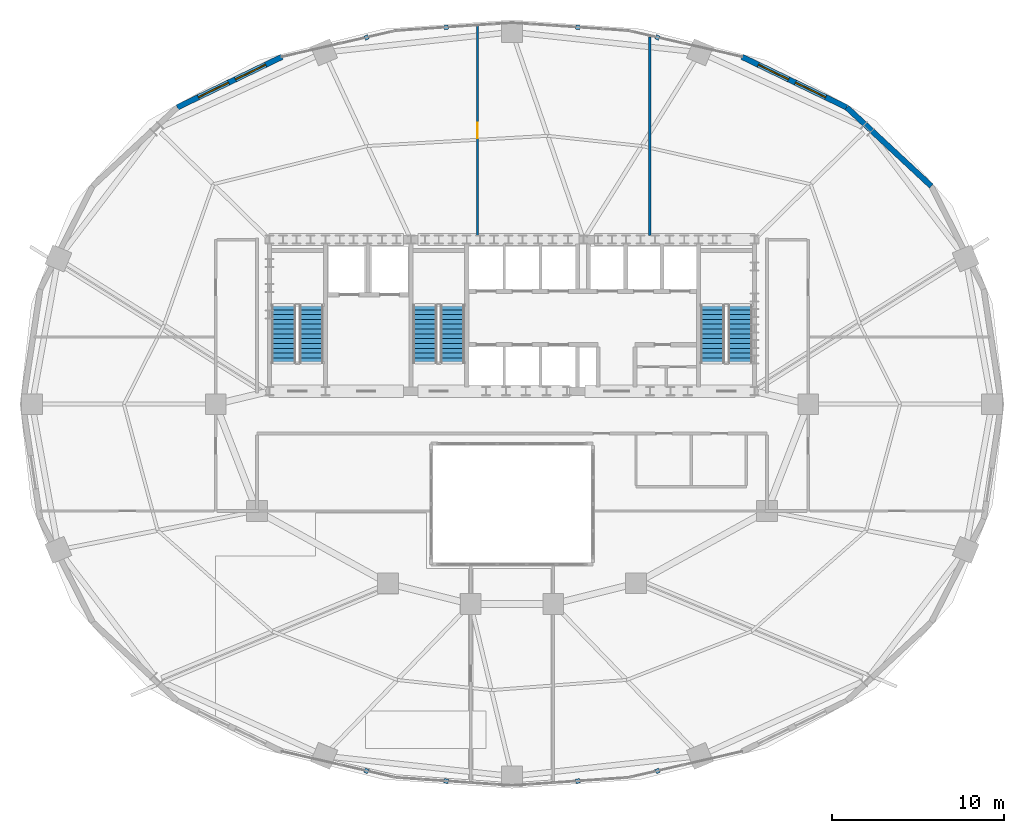
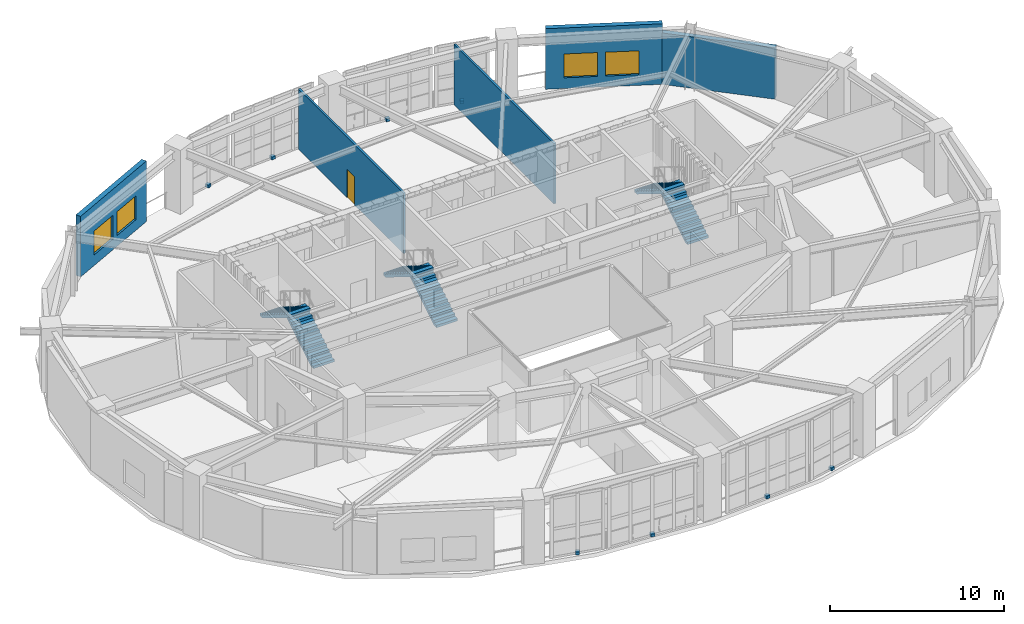
# One storey, part 12 of 15: 8 discrete accessories, 6 stair flights, 5 walls, 4 windows, 1 door, 5 openings, 3 elements without a shape of their own.
"""IFC4 building model written with IfcOpenShell, lengths in metres."""

from ifc_helpers import new_model, si_unit, direction, frame, frame_2d, origin, origin_2d, place, context, subcontext, project, spatial, polyline, rectangle, outline, extrude, material, layer, layer_set, type_object, element, fill, aggregate, save


model = new_model("IFC4")

# Units and contexts
model_context = context("Model", 3, precision=1e-05, world=origin(), true_north=direction((0.0, 1.0)))
body_context = subcontext(model_context, "Body", "Model", "MODEL_VIEW")
ifc_project = project(units=[si_unit("LENGTHUNIT", "METRE"), si_unit("AREAUNIT", "SQUARE_METRE"), si_unit("VOLUMEUNIT", "CUBIC_METRE"), si_unit("PLANEANGLEUNIT", "RADIAN"), si_unit("MASSUNIT", "GRAM", prefix="KILO")], contexts=[model_context])

# Site, building, storey
site_placement = place(None, origin())
site = spatial("IfcSite", under=ifc_project, at=site_placement, CompositionType="ELEMENT")
building_placement = place(site_placement, origin())
building = spatial("IfcBuilding", under=site, at=building_placement, Name="Haldorwick Loom Tower", CompositionType="ELEMENT")
storey_placement = place(building_placement, frame((0.0, 0.0, 105.949951171875)))
storey = spatial("IfcBuildingStorey", under=building, at=storey_placement, Name="L28", CompositionType="ELEMENT", Elevation=105.949951171875)

# Wall
ifc_material_1 = material(Name="Pressed Clay Face Brick and Insulated Masonry Backup Assembly", Category="masonry")
ifc_layer_1 = layer(ifc_material_1, 0.320068359375, Name="Pressed Clay Face Brick and Insulated Masonry Backup Assembly", Category="masonry")
ifc_layer_set_1 = layer_set([ifc_layer_1], Name="Pressed Clay Face Brick and Insulated Masonry Backup Assembly")
wall_type_1 = type_object("IfcWallType", Name="ARC-WL-EXT320", PredefinedType="STANDARD", material=ifc_layer_set_1)
wall_1_placement = place(storey_placement, frame((60.338623046875, 38.655517578125, 0.0), z_axis=(0.0, 0.0, 1.0), x_axis=(-0.732137360086, 0.681157020052, 0.0)))
element("IfcWall", 1, at=wall_1_placement, inside=storey, type_object=wall_type_1, Name="L28 Brick Pier and Spandrel Wall 3", PredefinedType="STANDARD", context=body_context, shape_type="SweptSolid", body=[
    extrude(rectangle(XDim=6.709228515625, YDim=0.320068359375, at=frame_2d((3.3544921875, 0.0))), origin(), (0.0, 0.0, 1.0), 3.619140625),
])

# Wall, openings, windows
wall_2_placement = place(storey_placement, frame((55.426513671875, 43.2255859375, 0.0), z_axis=(0.0, 0.0, 1.0), x_axis=(-0.900510094661, 0.434835106004, 0.0)))
wall_2 = element("IfcWall", 2, at=wall_2_placement, inside=storey, type_object=wall_type_1, Name="L28 Brick Pier and Spandrel Wall 4", PredefinedType="STANDARD", context=body_context, shape_type="SweptSolid", body=[
    extrude(rectangle(XDim=6.744873046875, YDim=0.320068359375, at=frame_2d((3.37255859375, 0.0))), origin(), (0.0, 0.0, 1.0), 4.260009765625),
])
opening_1_placement = place(wall_2_placement, frame((1.353759765625, 0.0, 0.75)))
opening_1 = element("IfcOpeningElement", 3, at=opening_1_placement, cuts=wall_2, Name="Opening W-04B", PredefinedType="OPENING", context=body_context, shape_type="SweptSolid", body=[
    extrude(rectangle(XDim=1.949951171875, YDim=1.679931640625, at=frame_2d((0.97509765625, 0.83984375))), frame((0.0, 0.169921875, 0.0), z_axis=(0.0, -1.0, 0.0), x_axis=(1.0, 0.0, 0.0)), (0.0, 0.0, 1.0), 0.340087890625),
])
opening_2_placement = place(wall_2_placement, frame((3.746337890625, 0.0, 0.75)))
opening_2 = element("IfcOpeningElement", 4, at=opening_2_placement, cuts=wall_2, Name="Opening W-04B", PredefinedType="OPENING", context=body_context, shape_type="SweptSolid", body=[
    extrude(rectangle(XDim=1.949951171875, YDim=1.679931640625, at=frame_2d((0.97509765625, 0.83984375))), frame((0.0, 0.169921875, 0.0), z_axis=(0.0, -1.0, 0.0), x_axis=(1.0, 0.0, 0.0)), (0.0, 0.0, 1.0), 0.340087890625),
])
ifc_material_2 = material(Name="Triple-Glazed Low-E Argon Insulated Glazing Unit", Category="glass")
window_type = type_object("IfcWindowType", Name="ARC-WIN-W195", PartitioningType="SINGLE_PANEL", PredefinedType="WINDOW", material=ifc_material_2)
window_1_placement = place(opening_1_placement, origin())
window_1 = element("IfcWindow", 5, at=window_1_placement, inside=storey, type_object=window_type, Name="L28 Deep-Set Zone 7A Window 4", OverallHeight=1.679931640625, OverallWidth=1.949951171875, PartitioningType="SINGLE_PANEL", PredefinedType="WINDOW", context=body_context, shape_type="SweptSolid", body=[
    extrude(rectangle(XDim=1.949951171875, YDim=1.679931640625, at=frame_2d((0.97509765625, 0.83984375))), frame((0.0, 0.030029296875, 0.0), z_axis=(0.0, -1.0, 0.0), x_axis=(1.0, 0.0, 0.0)), (0.0, 0.0, 1.0), 0.06005859375),
])
fill(opening_1, window_1)
window_2_placement = place(opening_2_placement, origin())
window_2 = element("IfcWindow", 6, at=window_2_placement, inside=storey, type_object=window_type, Name="L28 Deep-Set Zone 7A Window 4", OverallHeight=1.679931640625, OverallWidth=1.949951171875, PartitioningType="SINGLE_PANEL", PredefinedType="WINDOW", context=body_context, shape_type="SweptSolid", body=[
    extrude(rectangle(XDim=1.949951171875, YDim=1.679931640625, at=frame_2d((0.97509765625, 0.83984375))), frame((0.0, 0.030029296875, 0.0), z_axis=(0.0, -1.0, 0.0), x_axis=(1.0, 0.0, 0.0)), (0.0, 0.0, 1.0), 0.06005859375),
])
fill(opening_2, window_2)

wall_3_placement = place(storey_placement, frame((22.647216796875, 46.158447265625, 0.0), z_axis=(0.0, 0.0, 1.0), x_axis=(-0.900510094661, -0.434835106004, 0.0)))
wall_3 = element("IfcWall", 7, at=wall_3_placement, inside=storey, type_object=wall_type_1, Name="L28 Brick Pier and Spandrel Wall 9", PredefinedType="STANDARD", context=body_context, shape_type="SweptSolid", body=[
    extrude(rectangle(XDim=6.744873046875, YDim=0.320068359375, at=frame_2d((3.37255859375, 0.0))), origin(), (0.0, 0.0, 1.0), 4.260009765625),
])
opening_3_placement = place(wall_3_placement, frame((1.04833984375, 0.0, 0.75)))
opening_3 = element("IfcOpeningElement", 8, at=opening_3_placement, cuts=wall_3, Name="Opening W-04B", PredefinedType="OPENING", context=body_context, shape_type="SweptSolid", body=[
    extrude(rectangle(XDim=1.949951171875, YDim=1.679931640625, at=frame_2d((0.97509765625, 0.83984375))), frame((0.0, 0.169921875, 0.0), z_axis=(0.0, -1.0, 0.0), x_axis=(1.0, 0.0, 0.0)), (0.0, 0.0, 1.0), 0.340087890625),
])
opening_4_placement = place(wall_3_placement, frame((3.44091796875, 0.0, 0.75)))
opening_4 = element("IfcOpeningElement", 9, at=opening_4_placement, cuts=wall_3, Name="Opening W-04B", PredefinedType="OPENING", context=body_context, shape_type="SweptSolid", body=[
    extrude(rectangle(XDim=1.949951171875, YDim=1.679931640625, at=frame_2d((0.97509765625, 0.83984375))), frame((0.0, 0.169921875, 0.0), z_axis=(0.0, -1.0, 0.0), x_axis=(1.0, 0.0, 0.0)), (0.0, 0.0, 1.0), 0.340087890625),
])
window_3_placement = place(opening_3_placement, origin())
window_3 = element("IfcWindow", 10, at=window_3_placement, inside=storey, type_object=window_type, Name="L28 Deep-Set Zone 7A Window 9", OverallHeight=1.679931640625, OverallWidth=1.949951171875, PartitioningType="SINGLE_PANEL", PredefinedType="WINDOW", context=body_context, shape_type="SweptSolid", body=[
    extrude(rectangle(XDim=1.949951171875, YDim=1.679931640625, at=frame_2d((0.97509765625, 0.83984375))), frame((0.0, 0.030029296875, 0.0), z_axis=(0.0, -1.0, 0.0), x_axis=(1.0, 0.0, 0.0)), (0.0, 0.0, 1.0), 0.06005859375),
])
fill(opening_3, window_3)
window_4_placement = place(opening_4_placement, origin())
window_4 = element("IfcWindow", 11, at=window_4_placement, inside=storey, type_object=window_type, Name="L28 Deep-Set Zone 7A Window 9", OverallHeight=1.679931640625, OverallWidth=1.949951171875, PartitioningType="SINGLE_PANEL", PredefinedType="WINDOW", context=body_context, shape_type="SweptSolid", body=[
    extrude(rectangle(XDim=1.949951171875, YDim=1.679931640625, at=frame_2d((0.97509765625, 0.83984375))), frame((0.0, 0.030029296875, 0.0), z_axis=(0.0, -1.0, 0.0), x_axis=(1.0, 0.0, 0.0)), (0.0, 0.0, 1.0), 0.06005859375),
])
fill(opening_4, window_4)

# Wall, opening, door
ifc_material_3 = material(Name="Fire-Rated Type X Gypsum Stud Assembly EI 60")
ifc_layer_2 = layer(ifc_material_3, 0.139892578125, Name="Fire-Rated Type X Gypsum Stud Assembly EI 60")
ifc_layer_set_2 = layer_set([ifc_layer_2], Name="Fire-Rated Type X Gypsum Stud Assembly EI 60")
wall_type_2 = type_object("IfcWallType", Name="ARC-WL-PART140", PredefinedType="PARTITIONING", material=ifc_layer_set_2)
wall_4_placement = place(storey_placement, frame((34.0, 35.802978515625, 0.0), z_axis=(0.0, 0.0, 1.0), x_axis=(0.0, 1.0, 0.0)))
wall_4 = element("IfcWall", 12, at=wall_4_placement, inside=storey, type_object=wall_type_2, Name="L28 Interior Partition L28-N-0", PredefinedType="PARTITIONING", context=body_context, shape_type="SweptSolid", body=[
    extrude(rectangle(XDim=12.1328125, YDim=0.139892578125, at=frame_2d((6.06640625, 0.0))), origin(), (0.0, 0.0, 1.0), 4.2451171875),
])
opening_5_placement = place(wall_4_placement, frame((5.62646484375, 0.0, 0.0)))
opening_5 = element("IfcOpeningElement", 13, at=opening_5_placement, cuts=wall_4, Name="Opening D-FD60A", PredefinedType="OPENING", context=body_context, shape_type="SweptSolid", body=[
    extrude(rectangle(XDim=0.89990234375, YDim=2.0, at=frame_2d((0.449951171875, 1.0))), frame((0.0, 0.079833984375, 0.0), z_axis=(0.0, -1.0, 0.0), x_axis=(1.0, 0.0, 0.0)), (0.0, 0.0, 1.0), 0.159912109375),
])
ifc_material_4 = material(Name="Hollow Steel Fire Door Assembly", Category="steel")
door_type = type_object("IfcDoorType", Name="ARC-DR-FD60-90", OperationType="NOTDEFINED", PredefinedType="DOOR", material=ifc_material_4)
door_placement = place(opening_5_placement, origin())
door = element("IfcDoor", 14, at=door_placement, inside=storey, type_object=door_type, Name="L28 Low-to-Mid Sky Observatory Salon 11 to Sky Concierge Reception 12 Do", OperationType="SINGLE_SWING_LEFT", OverallHeight=2.0, OverallWidth=0.89990234375, PredefinedType="DOOR", context=body_context, shape_type="SweptSolid", body=[
    extrude(rectangle(XDim=0.89990234375, YDim=2.0, at=frame_2d((0.449951171875, 1.0))), frame((0.0, 0.02490234375, 0.0), z_axis=(0.0, -1.0, 0.0), x_axis=(1.0, 0.0, 0.0)), (0.0, 0.0, 1.0), 0.050048828125),
])
fill(opening_5, door)

# Wall
wall_5_placement = place(storey_placement, frame((44.0, 35.802978515625, 0.0), z_axis=(0.0, 0.0, 1.0), x_axis=(0.0, 1.0, 0.0)))
element("IfcWall", 15, at=wall_5_placement, inside=storey, type_object=wall_type_2, Name="L28 Interior Partition L28-N-1", PredefinedType="PARTITIONING", context=body_context, shape_type="SweptSolid", body=[
    extrude(rectangle(XDim=11.51904296875, YDim=0.139892578125, at=frame_2d((5.759521484375, 0.0))), origin(), (0.0, 0.0, 1.0), 4.2451171875),
])

# Stair, stair flights
ifc_material_5 = material(Name="Concrete C40 (40 MPa)", Category="concrete")
stair_type = type_object("IfcStairType", Name="STR-STR-CORE", PredefinedType="HALF_TURN_STAIR", material=ifc_material_5)
stair_1_placement = place(storey_placement, origin())
stair_1 = element("IfcStair", 16, at=stair_1_placement, inside=storey, type_object=stair_type, Name="L28 Exit Stair ST-01", PredefinedType="HALF_TURN_STAIR")
stair_flight_type = type_object("IfcStairFlightType", Name="STR-STF-1250", PredefinedType="STRAIGHT", material=ifc_material_5)
stair_flight_1_placement = place(storey_placement, frame((24.35009765625, 28.39990234375, 0.0), z_axis=(0.0, 0.0, 1.0), x_axis=(0.0, 1.0, 0.0)))
stair_flight_1 = element("IfcStairFlight", 17, at=stair_flight_1_placement, type_object=stair_flight_type, Name="ST-01 flight 1", NumberOfRisers=13, NumberOfTreads=12, PredefinedType="STRAIGHT", RiserHeight=0.173076923, TreadLength=0.28, context=body_context, shape_type="SweptSolid", body=[
    extrude(outline(polyline([(0.0, 0.0), (0.0, 0.173095703125), (0.280029296875, 0.173095703125), (0.280029296875, 0.34619140625), (0.56005859375, 0.34619140625), (0.56005859375, 0.519287109375), (0.840087890625, 0.519287109375), (0.840087890625, 0.6923828125), (1.1201171875, 0.6923828125), (1.1201171875, 0.865478515625), (1.39990234375, 0.865478515625), (1.39990234375, 1.03857421875), (1.679931640625, 1.03857421875), (1.679931640625, 1.21142578125), (1.9599609375, 1.21142578125), (1.9599609375, 1.384521484375), (2.239990234375, 1.384521484375), (2.239990234375, 1.5576171875), (2.52001953125, 1.5576171875), (2.52001953125, 1.730712890625), (2.800048828125, 1.730712890625), (2.800048828125, 1.90380859375), (3.080078125, 1.90380859375), (3.080078125, 2.076904296875), (3.360107421875, 2.076904296875), (3.360107421875, 2.25), (3.360107421875, 1.900634765625), (0.28515625, 0.0), (0.0, 0.0)])), frame((0.0, 0.699951171875, 0.0), z_axis=(0.0, -1.0, 0.0), x_axis=(1.0, 0.0, 0.0)), (0.0, 0.0, 1.0), 1.39990234375),
])
stair_flight_2_placement = place(storey_placement, frame((22.75, 31.760009765625, 2.25), z_axis=(0.0, 0.0, 1.0), x_axis=(0.0, -1.0, 0.0)))
stair_flight_2 = element("IfcStairFlight", 18, at=stair_flight_2_placement, type_object=stair_flight_type, Name="ST-01 flight 2", NumberOfRisers=13, NumberOfTreads=12, PredefinedType="STRAIGHT", RiserHeight=0.173076923, TreadLength=0.28, context=body_context, shape_type="SweptSolid", body=[
    extrude(outline(polyline([(0.0, 0.0), (0.0, 0.173095703125), (0.280029296875, 0.173095703125), (0.280029296875, 0.34619140625), (0.56005859375, 0.34619140625), (0.56005859375, 0.519287109375), (0.840087890625, 0.519287109375), (0.840087890625, 0.6923828125), (1.1201171875, 0.6923828125), (1.1201171875, 0.865478515625), (1.39990234375, 0.865478515625), (1.39990234375, 1.03857421875), (1.679931640625, 1.03857421875), (1.679931640625, 1.21142578125), (1.9599609375, 1.21142578125), (1.9599609375, 1.384521484375), (2.239990234375, 1.384521484375), (2.239990234375, 1.5576171875), (2.52001953125, 1.5576171875), (2.52001953125, 1.730712890625), (2.800048828125, 1.730712890625), (2.800048828125, 1.90380859375), (3.080078125, 1.90380859375), (3.080078125, 2.076904296875), (3.360107421875, 2.076904296875), (3.360107421875, 2.25), (3.360107421875, 1.900634765625), (0.28515625, 0.0), (0.0, 0.0)])), frame((0.0, 0.699951171875, 0.0), z_axis=(0.0, -1.0, 0.0), x_axis=(1.0, 0.0, 0.0)), (0.0, 0.0, 1.0), 1.39990234375),
])
aggregate(stair_1, [stair_flight_1, stair_flight_2])

stair_2_placement = place(storey_placement, origin())
stair_2 = element("IfcStair", 19, at=stair_2_placement, inside=storey, type_object=stair_type, Name="L28 Exit Stair ST-02", PredefinedType="HALF_TURN_STAIR")
stair_flight_3_placement = place(storey_placement, frame((49.25, 28.39990234375, 0.0), z_axis=(0.0, 0.0, 1.0), x_axis=(0.0, 1.0, 0.0)))
stair_flight_3 = element("IfcStairFlight", 20, at=stair_flight_3_placement, type_object=stair_flight_type, Name="ST-02 flight 1", NumberOfRisers=13, NumberOfTreads=12, PredefinedType="STRAIGHT", RiserHeight=0.173076923, TreadLength=0.28, context=body_context, shape_type="SweptSolid", body=[
    extrude(outline(polyline([(0.0, 0.0), (0.0, 0.173095703125), (0.280029296875, 0.173095703125), (0.280029296875, 0.34619140625), (0.56005859375, 0.34619140625), (0.56005859375, 0.519287109375), (0.840087890625, 0.519287109375), (0.840087890625, 0.6923828125), (1.1201171875, 0.6923828125), (1.1201171875, 0.865478515625), (1.39990234375, 0.865478515625), (1.39990234375, 1.03857421875), (1.679931640625, 1.03857421875), (1.679931640625, 1.21142578125), (1.9599609375, 1.21142578125), (1.9599609375, 1.384521484375), (2.239990234375, 1.384521484375), (2.239990234375, 1.5576171875), (2.52001953125, 1.5576171875), (2.52001953125, 1.730712890625), (2.800048828125, 1.730712890625), (2.800048828125, 1.90380859375), (3.080078125, 1.90380859375), (3.080078125, 2.076904296875), (3.360107421875, 2.076904296875), (3.360107421875, 2.25), (3.360107421875, 1.900634765625), (0.28515625, 0.0), (0.0, 0.0)])), frame((0.0, 0.699951171875, 0.0), z_axis=(0.0, -1.0, 0.0), x_axis=(1.0, 0.0, 0.0)), (0.0, 0.0, 1.0), 1.39990234375),
])
stair_flight_4_placement = place(storey_placement, frame((47.64990234375, 31.760009765625, 2.25), z_axis=(0.0, 0.0, 1.0), x_axis=(0.0, -1.0, 0.0)))
stair_flight_4 = element("IfcStairFlight", 21, at=stair_flight_4_placement, type_object=stair_flight_type, Name="ST-02 flight 2", NumberOfRisers=13, NumberOfTreads=12, PredefinedType="STRAIGHT", RiserHeight=0.173076923, TreadLength=0.28, context=body_context, shape_type="SweptSolid", body=[
    extrude(outline(polyline([(0.0, 0.0), (0.0, 0.173095703125), (0.280029296875, 0.173095703125), (0.280029296875, 0.34619140625), (0.56005859375, 0.34619140625), (0.56005859375, 0.519287109375), (0.840087890625, 0.519287109375), (0.840087890625, 0.6923828125), (1.1201171875, 0.6923828125), (1.1201171875, 0.865478515625), (1.39990234375, 0.865478515625), (1.39990234375, 1.03857421875), (1.679931640625, 1.03857421875), (1.679931640625, 1.21142578125), (1.9599609375, 1.21142578125), (1.9599609375, 1.384521484375), (2.239990234375, 1.384521484375), (2.239990234375, 1.5576171875), (2.52001953125, 1.5576171875), (2.52001953125, 1.730712890625), (2.800048828125, 1.730712890625), (2.800048828125, 1.90380859375), (3.080078125, 1.90380859375), (3.080078125, 2.076904296875), (3.360107421875, 2.076904296875), (3.360107421875, 2.25), (3.360107421875, 1.900634765625), (0.28515625, 0.0), (0.0, 0.0)])), frame((0.0, 0.699951171875, 0.0), z_axis=(0.0, -1.0, 0.0), x_axis=(1.0, 0.0, 0.0)), (0.0, 0.0, 1.0), 1.39990234375),
])
aggregate(stair_2, [stair_flight_3, stair_flight_4])

stair_3_placement = place(storey_placement, origin())
stair_3 = element("IfcStair", 22, at=stair_3_placement, inside=storey, type_object=stair_type, Name="L28 Exit Stair ST-03", PredefinedType="HALF_TURN_STAIR")
stair_flight_5_placement = place(storey_placement, frame((32.550048828125, 28.39990234375, 0.0), z_axis=(0.0, 0.0, 1.0), x_axis=(0.0, 1.0, 0.0)))
stair_flight_5 = element("IfcStairFlight", 23, at=stair_flight_5_placement, type_object=stair_flight_type, Name="ST-03 flight 1", NumberOfRisers=13, NumberOfTreads=12, PredefinedType="STRAIGHT", RiserHeight=0.173076923, TreadLength=0.28, context=body_context, shape_type="SweptSolid", body=[
    extrude(outline(polyline([(0.0, 0.0), (0.0, 0.173095703125), (0.280029296875, 0.173095703125), (0.280029296875, 0.34619140625), (0.56005859375, 0.34619140625), (0.56005859375, 0.519287109375), (0.840087890625, 0.519287109375), (0.840087890625, 0.6923828125), (1.1201171875, 0.6923828125), (1.1201171875, 0.865478515625), (1.39990234375, 0.865478515625), (1.39990234375, 1.03857421875), (1.679931640625, 1.03857421875), (1.679931640625, 1.21142578125), (1.9599609375, 1.21142578125), (1.9599609375, 1.384521484375), (2.239990234375, 1.384521484375), (2.239990234375, 1.5576171875), (2.52001953125, 1.5576171875), (2.52001953125, 1.730712890625), (2.800048828125, 1.730712890625), (2.800048828125, 1.90380859375), (3.080078125, 1.90380859375), (3.080078125, 2.076904296875), (3.360107421875, 2.076904296875), (3.360107421875, 2.25), (3.360107421875, 1.900634765625), (0.28515625, 0.0), (0.0, 0.0)])), frame((0.0, 0.699951171875, 0.0), z_axis=(0.0, -1.0, 0.0), x_axis=(1.0, 0.0, 0.0)), (0.0, 0.0, 1.0), 1.39990234375),
])
stair_flight_6_placement = place(storey_placement, frame((30.949951171875, 31.760009765625, 2.25), z_axis=(0.0, 0.0, 1.0), x_axis=(0.0, -1.0, 0.0)))
stair_flight_6 = element("IfcStairFlight", 24, at=stair_flight_6_placement, type_object=stair_flight_type, Name="ST-03 flight 2", NumberOfRisers=13, NumberOfTreads=12, PredefinedType="STRAIGHT", RiserHeight=0.173076923, TreadLength=0.28, context=body_context, shape_type="SweptSolid", body=[
    extrude(outline(polyline([(0.0, 0.0), (0.0, 0.173095703125), (0.280029296875, 0.173095703125), (0.280029296875, 0.34619140625), (0.56005859375, 0.34619140625), (0.56005859375, 0.519287109375), (0.840087890625, 0.519287109375), (0.840087890625, 0.6923828125), (1.1201171875, 0.6923828125), (1.1201171875, 0.865478515625), (1.39990234375, 0.865478515625), (1.39990234375, 1.03857421875), (1.679931640625, 1.03857421875), (1.679931640625, 1.21142578125), (1.9599609375, 1.21142578125), (1.9599609375, 1.384521484375), (2.239990234375, 1.384521484375), (2.239990234375, 1.5576171875), (2.52001953125, 1.5576171875), (2.52001953125, 1.730712890625), (2.800048828125, 1.730712890625), (2.800048828125, 1.90380859375), (3.080078125, 1.90380859375), (3.080078125, 2.076904296875), (3.360107421875, 2.076904296875), (3.360107421875, 2.25), (3.360107421875, 1.900634765625), (0.28515625, 0.0), (0.0, 0.0)])), frame((0.0, 0.699951171875, 0.0), z_axis=(0.0, -1.0, 0.0), x_axis=(1.0, 0.0, 0.0)), (0.0, 0.0, 1.0), 1.39990234375),
])
aggregate(stair_3, [stair_flight_5, stair_flight_6])

# Discrete accessories
ifc_material_6 = material(Name="Galvanized Steel CSA G40.21 350W", Category="steel")
discrete_accessory_type = type_object("IfcDiscreteAccessoryType", Name="ARC-ACC-BRACKET", PredefinedType="BRACKET", material=ifc_material_6)
for number, where, z_axis, x_axis, name in (
    (25, (44.44580078125, 47.286376953125, 0.0), (0.0, 0.0, 1.0), (0.433659084588, 0.901077021322, 0.0), "L28 Curtain-Wall Mullion Anchor Bracket 5"),
    (26, (39.825927734375, 47.875732421875, 0.0), (0.0, 0.0, 1.0), (0.152985836284, 0.988228381447, 0.0), "L28 Curtain-Wall Mullion Anchor Bracket 6"),
    (27, (32.174072265625, 47.875732421875, 0.0), (0.0, 0.0, 1.0), (-0.152985836284, 0.988228381447, 0.0), "L28 Curtain-Wall Mullion Anchor Bracket 7"),
    (28, (27.55419921875, 47.286376953125, 0.0), (0.0, 0.0, 1.0), (-0.433659084588, 0.901077021322, 0.0), "L28 Curtain-Wall Mullion Anchor Bracket 8"),
    (29, (27.55419921875, 4.713623046875, 0.0), (0.0, 0.0, 1.0), (-0.433659084588, -0.901077021322, 0.0), "L28 Curtain-Wall Mullion Anchor Bracket 17"),
    (30, (32.174072265625, 4.124267578125, 0.0), (0.0, 0.0, 1.0), (-0.152985836284, -0.988228381447, 0.0), "L28 Curtain-Wall Mullion Anchor Bracket 18"),
    (31, (39.825927734375, 4.124267578125, 0.0), (0.0, 0.0, 1.0), (0.152985836284, -0.988228381447, 0.0), "L28 Curtain-Wall Mullion Anchor Bracket 19"),
    (32, (44.44580078125, 4.713623046875, 0.0), (0.0, 0.0, 1.0), (0.433659084588, -0.901077021322, 0.0), "L28 Curtain-Wall Mullion Anchor Bracket 20"),
):
    element("IfcDiscreteAccessory", number, at=place(storey_placement, frame(where, z_axis=z_axis, x_axis=x_axis)), inside=storey, type_object=discrete_accessory_type, Name=name, PredefinedType="BRACKET", context=body_context, shape_type="SweptSolid", body=[
        extrude(rectangle(XDim=0.260009765625, YDim=0.239990234375, at=origin_2d()), origin(), (0.0, 0.0, 1.0), 0.199951171875),
    ])

save(model, "model.ifc")
